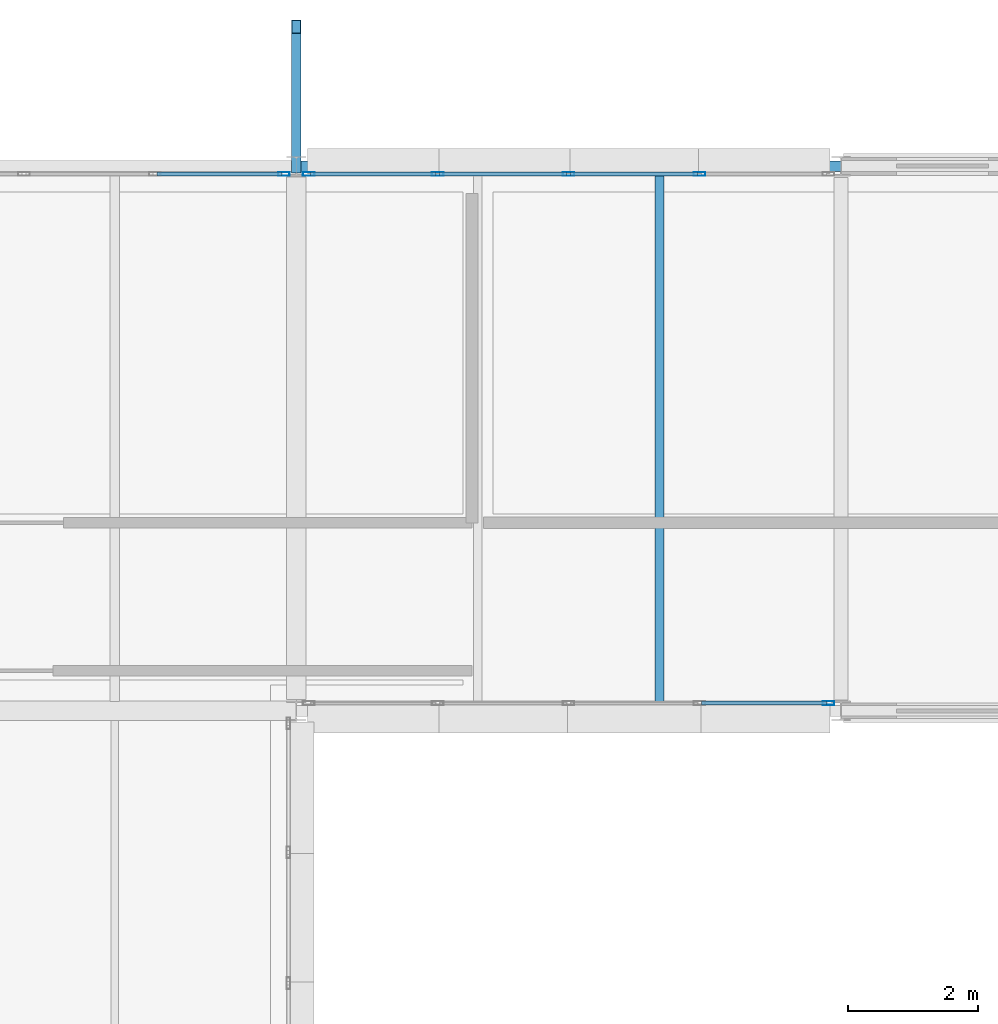
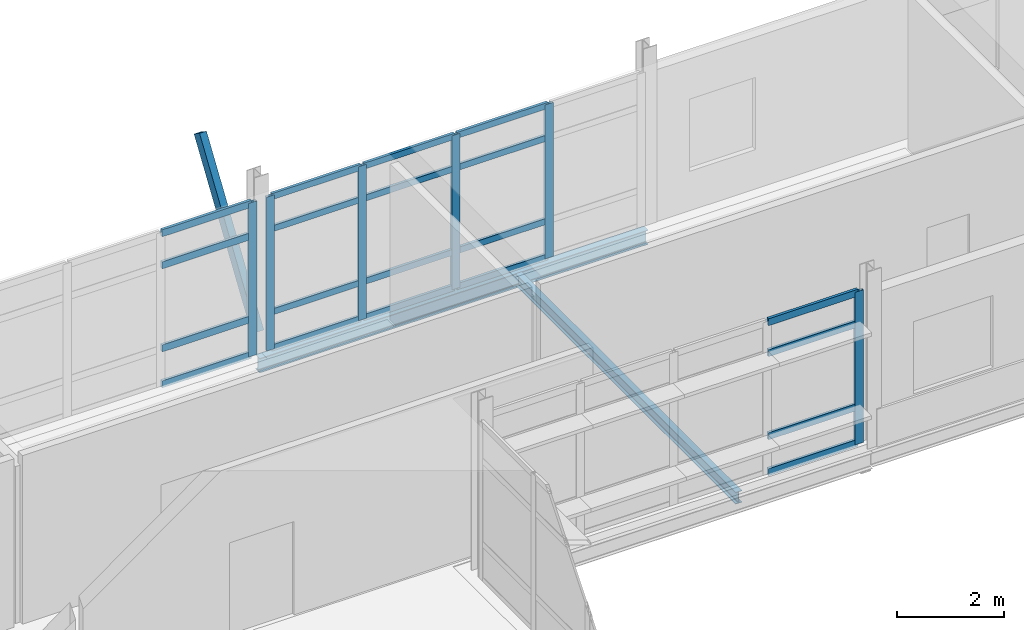
# One storey, part 17 of 57: 27 members, 2 beams, 3 elements without a shape of their own.
"""IFC4 building model written with IfcOpenShell, lengths in metres."""

from ifc_helpers import new_model, si_unit, direction, frame, origin, origin_2d, place, context, subcontext, project, spatial, hollow_rectangle, i_section, extrude, material, material_profile, profile_set, type_object, element, aggregate, save


model = new_model("IFC4")

# Units and contexts
model_context = context("Model", 3, precision=1e-05, world=origin(), true_north=direction((0.0, 1.0)))
body_context = subcontext(model_context, "Body", "Model", "MODEL_VIEW")
ifc_project = project(units=[si_unit("LENGTHUNIT", "METRE"), si_unit("AREAUNIT", "SQUARE_METRE"), si_unit("VOLUMEUNIT", "CUBIC_METRE"), si_unit("PLANEANGLEUNIT", "RADIAN"), si_unit("MASSUNIT", "GRAM", prefix="KILO")], contexts=[model_context])

# Site, building, storey
site_placement = place(None, origin())
site = spatial("IfcSite", under=ifc_project, at=site_placement, CompositionType="ELEMENT")
building_placement = place(site_placement, origin())
building = spatial("IfcBuilding", under=site, at=building_placement, Name="Mersafa Astral City Hall", CompositionType="ELEMENT")
storey_placement = place(building_placement, frame((0.0, 0.0, 26.10009765625)))
storey = spatial("IfcBuildingStorey", under=building, at=storey_placement, Name="L06", CompositionType="ELEMENT", Elevation=26.10009765625)

# Curtain wall, members
ifc_material_1 = material(Name="Anodised bronze aluminium framing", Category="aluminium")
curtain_wall_type_1 = type_object("IfcCurtainWallType", Name="ENV-CW-4", PredefinedType="USERDEFINED", material=ifc_material_1)
curtain_wall_1_placement = place(storey_placement, origin())
curtain_wall_1 = element("IfcCurtainWall", 1, at=curtain_wall_1_placement, inside=storey, type_object=curtain_wall_type_1, Name="L06 Unitised solar curtain wall 261", ObjectType="UNITISED CURTAIN WALL", PredefinedType="USERDEFINED")
ifc_material_profile_1 = material_profile(ifc_material_1, hollow_rectangle(XDim=0.06005859375, YDim=0.179931640625, WallThickness=0.00390625, at=origin_2d()), Name="RHS 60x180x4")
ifc_profile_set_1 = profile_set([ifc_material_profile_1], Name="Anodised bronze aluminium framing")
member_type_1 = type_object("IfcMemberType", Name="ENV-CW-MUL-1", PredefinedType="MULLION", material=ifc_profile_set_1)
member_1_placement = place(storey_placement, frame((73.4189453125, 125.8798828125, -0.002197265625), z_axis=(0.0, 0.0, 1.0), x_axis=(0.0, -1.0, 0.0)))
member_1 = element("IfcMember", 2, at=member_1_placement, type_object=member_type_1, Name="CW-4 mullion 2", PredefinedType="MULLION", context=body_context, shape_type="SweptSolid", body=[
    extrude(hollow_rectangle(XDim=0.06005859375, YDim=0.179931640625, WallThickness=0.00390625, at=origin_2d()), origin(), (0.0, 0.0, 1.0), 3.51904296875),
])
member_2_placement = place(storey_placement, frame((71.39990234375, 125.8798828125, -0.002197265625), z_axis=(0.0, 0.0, 1.0), x_axis=(0.0, -1.0, 0.0)))
member_2 = element("IfcMember", 3, at=member_2_placement, type_object=member_type_1, Name="CW-4 mullion 3", PredefinedType="MULLION", context=body_context, shape_type="SweptSolid", body=[
    extrude(hollow_rectangle(XDim=0.06005859375, YDim=0.179931640625, WallThickness=0.00390625, at=origin_2d()), origin(), (0.0, 0.0, 1.0), 3.51904296875),
])
member_3_placement = place(storey_placement, frame((69.381103515625, 125.8798828125, -0.002197265625), z_axis=(0.0, 0.0, 1.0), x_axis=(0.0, -1.0, 0.0)))
member_3 = element("IfcMember", 4, at=member_3_placement, type_object=member_type_1, Name="CW-4 mullion 4", PredefinedType="MULLION", context=body_context, shape_type="SweptSolid", body=[
    extrude(hollow_rectangle(XDim=0.06005859375, YDim=0.179931640625, WallThickness=0.00390625, at=origin_2d()), origin(), (0.0, 0.0, 1.0), 3.51904296875),
])
member_4_placement = place(storey_placement, frame((67.39208984375, 125.8798828125, -0.002197265625), z_axis=(0.0, 0.0, 1.0), x_axis=(0.0, -1.0, 0.0)))
member_4 = element("IfcMember", 5, at=member_4_placement, type_object=member_type_1, Name="CW-4 mullion 5", PredefinedType="MULLION", context=body_context, shape_type="SweptSolid", body=[
    extrude(hollow_rectangle(XDim=0.06005859375, YDim=0.179931640625, WallThickness=0.00390625, at=origin_2d()), origin(), (0.0, 0.0, 1.0), 3.51904296875),
])

# Curtain wall, member
curtain_wall_type_2 = type_object("IfcCurtainWallType", Name="ENV-CW-5", PredefinedType="USERDEFINED", material=ifc_material_1)
curtain_wall_2_placement = place(storey_placement, origin())
curtain_wall_2 = element("IfcCurtainWall", 6, at=curtain_wall_2_placement, inside=storey, type_object=curtain_wall_type_2, Name="L06 Unitised solar curtain wall 262", ObjectType="UNITISED CURTAIN WALL", PredefinedType="USERDEFINED")
member_5_placement = place(storey_placement, frame((67.008056640625, 125.8798828125, -0.002197265625), z_axis=(0.0, 0.0, 1.0), x_axis=(0.0, -1.0, 0.0)))
member_5 = element("IfcMember", 7, at=member_5_placement, type_object=member_type_1, Name="CW-5 mullion 1", PredefinedType="MULLION", context=body_context, shape_type="SweptSolid", body=[
    extrude(hollow_rectangle(XDim=0.06005859375, YDim=0.179931640625, WallThickness=0.00390625, at=origin_2d()), origin(), (0.0, 0.0, 1.0), 3.51416015625),
])

curtain_wall_type_3 = type_object("IfcCurtainWallType", Name="ENV-CW-1", PredefinedType="USERDEFINED", material=ifc_material_1)
curtain_wall_3_placement = place(storey_placement, origin())
curtain_wall_3 = element("IfcCurtainWall", 8, at=curtain_wall_3_placement, inside=storey, type_object=curtain_wall_type_3, Name="L06 Unitised solar curtain wall 264", ObjectType="UNITISED CURTAIN WALL", PredefinedType="USERDEFINED")
member_6_placement = place(storey_placement, frame((75.407958984375, 117.719970703125, -0.002197265625), z_axis=(0.0, 0.0, 1.0), x_axis=(0.0, 1.0, 0.0)))
member_6 = element("IfcMember", 9, at=member_6_placement, type_object=member_type_1, Name="CW-1 mullion 5", PredefinedType="MULLION", context=body_context, shape_type="SweptSolid", body=[
    extrude(hollow_rectangle(XDim=0.06005859375, YDim=0.179931640625, WallThickness=0.00390625, at=origin_2d()), origin(), (0.0, 0.0, 1.0), 3.489013671875),
])

# Member
ifc_material_profile_2 = material_profile(ifc_material_1, hollow_rectangle(XDim=0.06005859375, YDim=0.139892578125, WallThickness=0.00390625, at=origin_2d()), Name="RHS 60x140x4")
ifc_profile_set_2 = profile_set([ifc_material_profile_2], Name="Anodised bronze aluminium framing")
member_type_2 = type_object("IfcMemberType", Name="ENV-CW-TRN-1", PredefinedType="USERDEFINED", material=ifc_profile_set_2)
member_7_placement = place(storey_placement, frame((73.388916015625, 125.8798828125, 0.02783203125), z_axis=(-1.0, 0.0, 0.0), x_axis=(0.0, -1.0, 0.0)))
member_7 = element("IfcMember", 10, at=member_7_placement, type_object=member_type_2, Name="CW-4 transom 2.1", ObjectType="TRANSOM", PredefinedType="USERDEFINED", context=body_context, shape_type="SweptSolid", body=[
    extrude(hollow_rectangle(XDim=0.06005859375, YDim=0.139892578125, WallThickness=0.00390625, at=origin_2d()), origin(), (0.0, 0.0, 1.0), 1.958984375),
])

member_8_placement = place(storey_placement, frame((73.388916015625, 125.8798828125, 0.849853515625), z_axis=(-1.0, 0.0, 0.0), x_axis=(0.0, -1.0, 0.0)))
member_8 = element("IfcMember", 11, at=member_8_placement, type_object=member_type_2, Name="CW-4 transom 2.2", ObjectType="TRANSOM", PredefinedType="USERDEFINED", context=body_context, shape_type="SweptSolid", body=[
    extrude(hollow_rectangle(XDim=0.06005859375, YDim=0.139892578125, WallThickness=0.00390625, at=origin_2d()), origin(), (0.0, 0.0, 1.0), 1.958984375),
])

member_9_placement = place(storey_placement, frame((73.388916015625, 125.8798828125, 2.75), z_axis=(-1.0, 0.0, 0.0), x_axis=(0.0, -1.0, 0.0)))
member_9 = element("IfcMember", 12, at=member_9_placement, type_object=member_type_2, Name="CW-4 transom 2.3", ObjectType="TRANSOM", PredefinedType="USERDEFINED", context=body_context, shape_type="SweptSolid", body=[
    extrude(hollow_rectangle(XDim=0.06005859375, YDim=0.139892578125, WallThickness=0.00390625, at=origin_2d()), origin(), (0.0, 0.0, 1.0), 1.958984375),
])

member_10_placement = place(storey_placement, frame((73.388916015625, 125.8798828125, 3.48681640625), z_axis=(-1.0, 0.0, 0.0), x_axis=(0.0, -1.0, 0.0)))
member_10 = element("IfcMember", 13, at=member_10_placement, type_object=member_type_2, Name="CW-4 transom 2.4", ObjectType="TRANSOM", PredefinedType="USERDEFINED", context=body_context, shape_type="SweptSolid", body=[
    extrude(hollow_rectangle(XDim=0.06005859375, YDim=0.139892578125, WallThickness=0.00390625, at=origin_2d()), origin(), (0.0, 0.0, 1.0), 1.958984375),
])

member_11_placement = place(storey_placement, frame((71.3701171875, 125.8798828125, 0.02783203125), z_axis=(-1.0, 0.0, 0.0), x_axis=(0.0, -1.0, 0.0)))
member_11 = element("IfcMember", 14, at=member_11_placement, type_object=member_type_2, Name="CW-4 transom 3.1", ObjectType="TRANSOM", PredefinedType="USERDEFINED", context=body_context, shape_type="SweptSolid", body=[
    extrude(hollow_rectangle(XDim=0.06005859375, YDim=0.139892578125, WallThickness=0.00390625, at=origin_2d()), origin(), (0.0, 0.0, 1.0), 1.959228515625),
])

member_12_placement = place(storey_placement, frame((71.3701171875, 125.8798828125, 0.849853515625), z_axis=(-1.0, 0.0, 0.0), x_axis=(0.0, -1.0, 0.0)))
member_12 = element("IfcMember", 15, at=member_12_placement, type_object=member_type_2, Name="CW-4 transom 3.2", ObjectType="TRANSOM", PredefinedType="USERDEFINED", context=body_context, shape_type="SweptSolid", body=[
    extrude(hollow_rectangle(XDim=0.06005859375, YDim=0.139892578125, WallThickness=0.00390625, at=origin_2d()), origin(), (0.0, 0.0, 1.0), 1.959228515625),
])

member_13_placement = place(storey_placement, frame((71.3701171875, 125.8798828125, 2.75), z_axis=(-1.0, 0.0, 0.0), x_axis=(0.0, -1.0, 0.0)))
member_13 = element("IfcMember", 16, at=member_13_placement, type_object=member_type_2, Name="CW-4 transom 3.3", ObjectType="TRANSOM", PredefinedType="USERDEFINED", context=body_context, shape_type="SweptSolid", body=[
    extrude(hollow_rectangle(XDim=0.06005859375, YDim=0.139892578125, WallThickness=0.00390625, at=origin_2d()), origin(), (0.0, 0.0, 1.0), 1.959228515625),
])

member_14_placement = place(storey_placement, frame((71.3701171875, 125.8798828125, 3.48681640625), z_axis=(-1.0, 0.0, 0.0), x_axis=(0.0, -1.0, 0.0)))
member_14 = element("IfcMember", 17, at=member_14_placement, type_object=member_type_2, Name="CW-4 transom 3.4", ObjectType="TRANSOM", PredefinedType="USERDEFINED", context=body_context, shape_type="SweptSolid", body=[
    extrude(hollow_rectangle(XDim=0.06005859375, YDim=0.139892578125, WallThickness=0.00390625, at=origin_2d()), origin(), (0.0, 0.0, 1.0), 1.959228515625),
])

member_15_placement = place(storey_placement, frame((69.35107421875, 125.8798828125, 0.02783203125), z_axis=(-1.0, 0.0, 0.0), x_axis=(0.0, -1.0, 0.0)))
member_15 = element("IfcMember", 18, at=member_15_placement, type_object=member_type_2, Name="CW-4 transom 4.1", ObjectType="TRANSOM", PredefinedType="USERDEFINED", context=body_context, shape_type="SweptSolid", body=[
    extrude(hollow_rectangle(XDim=0.06005859375, YDim=0.139892578125, WallThickness=0.00390625, at=origin_2d()), origin(), (0.0, 0.0, 1.0), 1.928955078125),
])

member_16_placement = place(storey_placement, frame((69.35107421875, 125.8798828125, 0.849853515625), z_axis=(-1.0, 0.0, 0.0), x_axis=(0.0, -1.0, 0.0)))
member_16 = element("IfcMember", 19, at=member_16_placement, type_object=member_type_2, Name="CW-4 transom 4.2", ObjectType="TRANSOM", PredefinedType="USERDEFINED", context=body_context, shape_type="SweptSolid", body=[
    extrude(hollow_rectangle(XDim=0.06005859375, YDim=0.139892578125, WallThickness=0.00390625, at=origin_2d()), origin(), (0.0, 0.0, 1.0), 1.928955078125),
])

member_17_placement = place(storey_placement, frame((69.35107421875, 125.8798828125, 2.75), z_axis=(-1.0, 0.0, 0.0), x_axis=(0.0, -1.0, 0.0)))
member_17 = element("IfcMember", 20, at=member_17_placement, type_object=member_type_2, Name="CW-4 transom 4.3", ObjectType="TRANSOM", PredefinedType="USERDEFINED", context=body_context, shape_type="SweptSolid", body=[
    extrude(hollow_rectangle(XDim=0.06005859375, YDim=0.139892578125, WallThickness=0.00390625, at=origin_2d()), origin(), (0.0, 0.0, 1.0), 1.928955078125),
])

member_18_placement = place(storey_placement, frame((69.35107421875, 125.8798828125, 3.48681640625), z_axis=(-1.0, 0.0, 0.0), x_axis=(0.0, -1.0, 0.0)))
member_18 = element("IfcMember", 21, at=member_18_placement, type_object=member_type_2, Name="CW-4 transom 4.4", ObjectType="TRANSOM", PredefinedType="USERDEFINED", context=body_context, shape_type="SweptSolid", body=[
    extrude(hollow_rectangle(XDim=0.06005859375, YDim=0.139892578125, WallThickness=0.00390625, at=origin_2d()), origin(), (0.0, 0.0, 1.0), 1.928955078125),
])

aggregate(curtain_wall_1, [member_1, member_2, member_3, member_4, member_7, member_8, member_9, member_10, member_11, member_12, member_13, member_14, member_15, member_16, member_17, member_18])

ifc_material_profile_3 = material_profile(ifc_material_1, hollow_rectangle(XDim=0.06005859375, YDim=0.159912109375, WallThickness=0.00390625, at=origin_2d()), Name="RHS 60x160x4")
ifc_profile_set_3 = profile_set([ifc_material_profile_3], Name="Anodised bronze aluminium framing")
member_type_3 = type_object("IfcMemberType", Name="ENV-CW-TRN-2", PredefinedType="USERDEFINED", material=ifc_profile_set_3)
member_19_placement = place(storey_placement, frame((66.97802734375, 125.8798828125, 0.02783203125), z_axis=(-1.0, 0.0, 0.0), x_axis=(0.0, -1.0, 0.0)))
member_19 = element("IfcMember", 22, at=member_19_placement, type_object=member_type_3, Name="CW-5 transom 1.1", ObjectType="TRANSOM", PredefinedType="USERDEFINED", context=body_context, shape_type="SweptSolid", body=[
    extrude(hollow_rectangle(XDim=0.06005859375, YDim=0.159912109375, WallThickness=0.00390625, at=origin_2d()), origin(), (0.0, 0.0, 1.0), 1.928955078125),
])

member_20_placement = place(storey_placement, frame((66.97802734375, 125.8798828125, 0.849853515625), z_axis=(-1.0, 0.0, 0.0), x_axis=(0.0, -1.0, 0.0)))
member_20 = element("IfcMember", 23, at=member_20_placement, type_object=member_type_3, Name="CW-5 transom 1.2", ObjectType="TRANSOM", PredefinedType="USERDEFINED", context=body_context, shape_type="SweptSolid", body=[
    extrude(hollow_rectangle(XDim=0.06005859375, YDim=0.159912109375, WallThickness=0.00390625, at=origin_2d()), origin(), (0.0, 0.0, 1.0), 1.928955078125),
])

member_21_placement = place(storey_placement, frame((66.97802734375, 125.8798828125, 2.75), z_axis=(-1.0, 0.0, 0.0), x_axis=(0.0, -1.0, 0.0)))
member_21 = element("IfcMember", 24, at=member_21_placement, type_object=member_type_3, Name="CW-5 transom 1.3", ObjectType="TRANSOM", PredefinedType="USERDEFINED", context=body_context, shape_type="SweptSolid", body=[
    extrude(hollow_rectangle(XDim=0.06005859375, YDim=0.159912109375, WallThickness=0.00390625, at=origin_2d()), origin(), (0.0, 0.0, 1.0), 1.928955078125),
])

member_22_placement = place(storey_placement, frame((66.97802734375, 125.8798828125, 3.48193359375), z_axis=(-1.0, 0.0, 0.0), x_axis=(0.0, -1.0, 0.0)))
member_22 = element("IfcMember", 25, at=member_22_placement, type_object=member_type_3, Name="CW-5 transom 1.4", ObjectType="TRANSOM", PredefinedType="USERDEFINED", context=body_context, shape_type="SweptSolid", body=[
    extrude(hollow_rectangle(XDim=0.06005859375, YDim=0.159912109375, WallThickness=0.00390625, at=origin_2d()), origin(), (0.0, 0.0, 1.0), 1.928955078125),
])

aggregate(curtain_wall_2, [member_5, member_19, member_20, member_21, member_22])

member_23_placement = place(storey_placement, frame((73.448974609375, 117.719970703125, 0.02783203125), z_axis=(1.0, 0.0, 0.0), x_axis=(0.0, 1.0, 0.0)))
member_23 = element("IfcMember", 26, at=member_23_placement, type_object=member_type_3, Name="CW-1 transom 4.1", ObjectType="TRANSOM", PredefinedType="USERDEFINED", context=body_context, shape_type="SweptSolid", body=[
    extrude(hollow_rectangle(XDim=0.06005859375, YDim=0.159912109375, WallThickness=0.00390625, at=origin_2d()), origin(), (0.0, 0.0, 1.0), 1.928955078125),
])

member_24_placement = place(storey_placement, frame((73.448974609375, 117.719970703125, 0.849853515625), z_axis=(1.0, 0.0, 0.0), x_axis=(0.0, 1.0, 0.0)))
member_24 = element("IfcMember", 27, at=member_24_placement, type_object=member_type_3, Name="CW-1 transom 4.2", ObjectType="TRANSOM", PredefinedType="USERDEFINED", context=body_context, shape_type="SweptSolid", body=[
    extrude(hollow_rectangle(XDim=0.06005859375, YDim=0.159912109375, WallThickness=0.00390625, at=origin_2d()), origin(), (0.0, 0.0, 1.0), 1.928955078125),
])

member_25_placement = place(storey_placement, frame((73.448974609375, 117.719970703125, 2.75), z_axis=(1.0, 0.0, 0.0), x_axis=(0.0, 1.0, 0.0)))
member_25 = element("IfcMember", 28, at=member_25_placement, type_object=member_type_3, Name="CW-1 transom 4.3", ObjectType="TRANSOM", PredefinedType="USERDEFINED", context=body_context, shape_type="SweptSolid", body=[
    extrude(hollow_rectangle(XDim=0.06005859375, YDim=0.159912109375, WallThickness=0.00390625, at=origin_2d()), origin(), (0.0, 0.0, 1.0), 1.928955078125),
])

member_26_placement = place(storey_placement, frame((73.448974609375, 117.719970703125, 3.456787109375), z_axis=(1.0, 0.0, 0.0), x_axis=(0.0, 1.0, 0.0)))
member_26 = element("IfcMember", 29, at=member_26_placement, type_object=member_type_3, Name="CW-1 transom 4.4", ObjectType="TRANSOM", PredefinedType="USERDEFINED", context=body_context, shape_type="SweptSolid", body=[
    extrude(hollow_rectangle(XDim=0.06005859375, YDim=0.159912109375, WallThickness=0.00390625, at=origin_2d()), origin(), (0.0, 0.0, 1.0), 1.928955078125),
])

aggregate(curtain_wall_3, [member_6, member_23, member_24, member_25, member_26])

# Beams
ifc_material_2 = material(Name="Steel S355", Category="steel")
ifc_material_profile_4 = material_profile(ifc_material_2, i_section(OverallWidth=0.135009765625, OverallDepth=0.27001953125, WebThickness=0.006591796875, FlangeThickness=0.01025390625, FilletRadius=0.014892578125, at=origin_2d()), Name="IPE 270")
ifc_profile_set_4 = profile_set([ifc_material_profile_4], Name="Steel S355")
beam_type_1 = type_object("IfcBeamType", Name="STR-BM-JOIST-IPE270", PredefinedType="JOIST", material=ifc_profile_set_4)
beam_1_placement = place(storey_placement, frame((72.800048828125, 117.679931640625, -0.31005859375), z_axis=(0.0, 1.0, 0.0), x_axis=(-1.0, 0.0, 0.0)))
element("IfcBeam", 30, at=beam_1_placement, inside=storey, type_object=beam_type_1, Name="L06 Composite secondary floor joist 849", PredefinedType="JOIST", context=body_context, shape_type="SweptSolid", body=[
    extrude(i_section(OverallWidth=0.135009765625, OverallDepth=0.27001953125, WebThickness=0.006591796875, FlangeThickness=0.01025390625, FilletRadius=0.014892578125, at=origin_2d()), origin(), (0.0, 0.0, 1.0), 8.2451171875),
])
ifc_material_profile_5 = material_profile(ifc_material_2, i_section(OverallWidth=0.159912109375, OverallDepth=0.330078125, WebThickness=0.007568359375, FlangeThickness=0.011474609375, FilletRadius=0.01806640625, at=origin_2d()), Name="IPE 330")
ifc_profile_set_5 = profile_set([ifc_material_profile_5], Name="Steel S355")
beam_type_2 = type_object("IfcBeamType", Name="STR-BM-SPANDREL-IPE330", PredefinedType="SPANDREL", material=ifc_profile_set_5)
beam_2_placement = place(storey_placement, frame((67.202880859375, 126.0, -0.340087890625), z_axis=(1.0, 0.0, 0.0), x_axis=(0.0, 1.0, 0.0)))
element("IfcBeam", 31, at=beam_2_placement, inside=storey, type_object=beam_type_2, Name="L06 Primary girder X 8-15", PredefinedType="SPANDREL", context=body_context, shape_type="SweptSolid", body=[
    extrude(i_section(OverallWidth=0.159912109375, OverallDepth=0.330078125, WebThickness=0.007568359375, FlangeThickness=0.011474609375, FilletRadius=0.01806640625, at=origin_2d()), origin(), (0.0, 0.0, 1.0), 8.39404296875),
])

# Member
ifc_material_profile_6 = material_profile(ifc_material_2, hollow_rectangle(XDim=0.14990234375, YDim=0.25, WallThickness=0.010009765625, at=origin_2d()), Name="RHS 150x250x10")
ifc_profile_set_6 = profile_set([ifc_material_profile_6], Name="Steel S355")
member_type_4 = type_object("IfcMemberType", Name="STR-MBR-STRUT-RHS150X250", PredefinedType="BRACE", material=ifc_profile_set_6)
member_27_placement = place(storey_placement, frame((67.199951171875, 126.0, 0.39990234375), z_axis=(0.0, 0.552902229166, 0.833246137095), x_axis=(-1.0, 0.0, 0.0)))
element("IfcMember", 32, at=member_27_placement, inside=storey, type_object=member_type_4, Name="L06 Raked cosmic eave strut ROOF-T5-V4N N-8", PredefinedType="BRACE", context=body_context, shape_type="SweptSolid", body=[
    extrude(hollow_rectangle(XDim=0.14990234375, YDim=0.25, WallThickness=0.010009765625, at=origin_2d()), origin(), (0.0, 0.0, 1.0), 3.888427734375),
])

save(model, "model.ifc")
